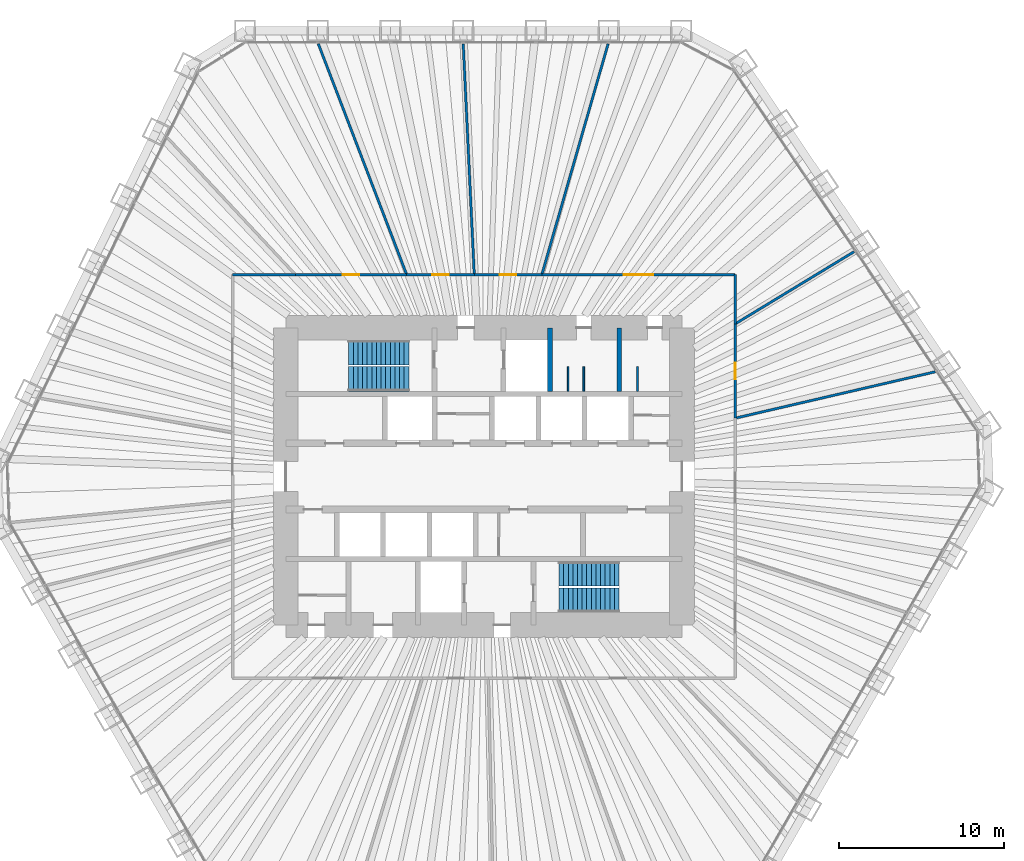
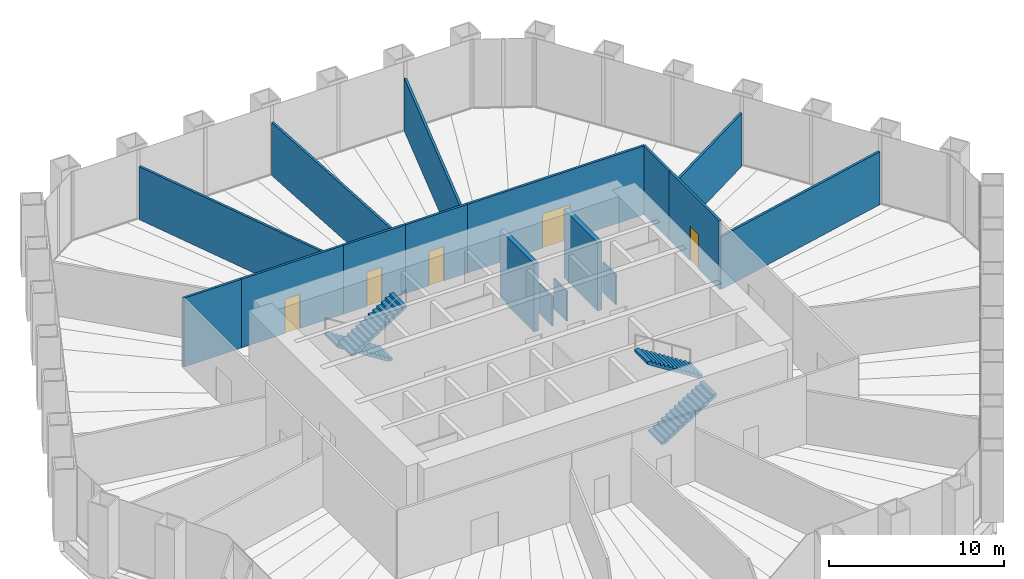
# One storey, part 12 of 13: 17 walls, 5 doors, 4 stair flights, 5 openings, 2 elements without a shape of their own.
"""IFC4 building model written with IfcOpenShell, lengths in metres."""

from ifc_helpers import new_model, si_unit, direction, frame, frame_2d, origin, place, context, subcontext, project, spatial, polyline, rectangle, outline, extrude, material, layer, layer_set, type_object, element, fill, aggregate, save


model = new_model("IFC4")

# Units and contexts
model_context = context("Model", 3, precision=1e-05, world=origin(), true_north=direction((0.0, 1.0)))
body_context = subcontext(model_context, "Body", "Model", "MODEL_VIEW")
ifc_project = project(units=[si_unit("LENGTHUNIT", "METRE"), si_unit("AREAUNIT", "SQUARE_METRE"), si_unit("VOLUMEUNIT", "CUBIC_METRE"), si_unit("PLANEANGLEUNIT", "RADIAN"), si_unit("MASSUNIT", "GRAM", prefix="KILO")], contexts=[model_context])

# Site, building, storey
site_placement = place(None, origin())
site = spatial("IfcSite", under=ifc_project, at=site_placement, CompositionType="ELEMENT")
building_placement = place(site_placement, origin())
building = spatial("IfcBuilding", under=site, at=building_placement, Name="Qingtian Harvest Tower", CompositionType="ELEMENT")
storey_placement = place(building_placement, frame((0.0, 0.0, 27.0)))
storey = spatial("IfcBuildingStorey", under=building, at=storey_placement, Name="L05", CompositionType="ELEMENT", Elevation=27.0)

# Walls
ifc_material_1 = material(Name="Precast concrete shaft panel", Category="concrete")
ifc_layer_1 = layer(ifc_material_1, 0.300048828125)
ifc_layer_set_1 = layer_set([ifc_layer_1], Name="Core shaft partition SW1 300")
wall_type_1 = type_object("IfcWallType", Name="Core shaft partition SW1 300", PredefinedType="PARTITIONING", material=ifc_layer_set_1)
for number, where, z_axis, x_axis, name in (
    (1, (4.0, 5.14990234375, 0.0), (0.0, 0.0, 1.0), (0.0, 1.0, 0.0), "Core shaft partition XN3 L05"),
    (2, (8.199951171875, 5.14990234375, 0.0), (0.0, 0.0, 1.0), (0.0, 1.0, 0.0), "Core shaft partition XN4 L05"),
):
    element("IfcWall", number, at=place(storey_placement, frame(where, z_axis=z_axis, x_axis=x_axis)), inside=storey, type_object=wall_type_1, Name=name, PredefinedType="PARTITIONING", context=body_context, shape_type="SweptSolid", body=[
        extrude(rectangle(XDim=3.85009765625, YDim=0.300048828125, at=frame_2d((1.925048828125, 0.0))), origin(), (0.0, 0.0, 1.0), 4.780029296875),
    ])
ifc_material_2 = material(Name="Gypsum board on steel studs", Category="steel")
ifc_layer_2 = layer(ifc_material_2, 0.14990234375)
ifc_layer_set_2 = layer_set([ifc_layer_2], Name="Partition PT1 150")
wall_type_2 = type_object("IfcWallType", Name="Partition PT1 150", PredefinedType="PARTITIONING", material=ifc_layer_set_2)
wall_1_placement = place(storey_placement, frame((7.52392578125, 26.203857421875, 0.0), z_axis=(0.0, 0.0, 1.0), x_axis=(-0.275975790041, -0.961164587004, 0.0)))
element("IfcWall", 3, at=wall_1_placement, inside=storey, type_object=wall_type_2, Name="Seedling nursery wall L05", PredefinedType="PARTITIONING", context=body_context, shape_type="SweptSolid", body=[
    extrude(rectangle(XDim=14.54345703125, YDim=0.14990234375, at=frame_2d((7.271728515625, 0.0))), origin(), (0.0, 0.0, 1.0), 3.699951171875),
])

# Wall, opening, door
wall_2_placement = place(storey_placement, frame((3.51025390625, 12.22509765625, 0.0), z_axis=(0.0, 0.0, 1.0), x_axis=(1.0, 0.0, 0.0)))
wall_2 = element("IfcWall", 4, at=wall_2_placement, inside=storey, type_object=wall_type_2, Name="Seedling nursery wall L05", PredefinedType="PARTITIONING", context=body_context, shape_type="SweptSolid", body=[
    extrude(rectangle(XDim=11.71484375, YDim=0.14990234375, at=frame_2d((5.857421875, 0.0))), origin(), (0.0, 0.0, 1.0), 4.800048828125),
])
opening_1_placement = place(wall_2_placement, frame((4.95751953125, 0.0, 0.0)))
opening_1 = element("IfcOpeningElement", 5, at=opening_1_placement, cuts=wall_2, Name="Opening D3", PredefinedType="OPENING", context=body_context, shape_type="SweptSolid", body=[
    extrude(rectangle(XDim=1.800048828125, YDim=2.39990234375, at=frame_2d((0.89990234375, 1.199951171875))), frame((0.0, 0.0849609375, 0.0), z_axis=(0.0, -1.0, 0.0), x_axis=(1.0, 0.0, 0.0)), (0.0, 0.0, 1.0), 0.169921875),
])
ifc_material_3 = material(Name="Laminated timber door leaf", Category="wood")
door_type_1 = type_object("IfcDoorType", Name="Room door D3 double", OperationType="DOUBLE_DOOR_DOUBLE_SWING", PredefinedType="DOOR", material=ifc_material_3)
door_1_placement = place(opening_1_placement, origin())
door_1 = element("IfcDoor", 6, at=door_1_placement, inside=storey, type_object=door_type_1, Name="Seedling nursery door L05", OperationType="DOUBLE_DOOR_DOUBLE_SWING", OverallHeight=2.39990234375, OverallWidth=1.800048828125, PredefinedType="DOOR", context=body_context, shape_type="SweptSolid", body=[
    extrude(rectangle(XDim=1.800048828125, YDim=2.39990234375, at=frame_2d((0.89990234375, 1.199951171875))), frame((0.0, 0.02490234375, 0.0), z_axis=(0.0, -1.0, 0.0), x_axis=(1.0, 0.0, 0.0)), (0.0, 0.0, 1.0), 0.050048828125),
])
fill(opening_1, door_1)

# Walls
wall_3_placement = place(storey_placement, frame((15.22509765625, 12.22509765625, 0.0), z_axis=(0.0, 0.0, 1.0), x_axis=(0.0, -1.0, 0.0)))
element("IfcWall", 7, at=wall_3_placement, inside=storey, type_object=wall_type_2, Name="Seedling nursery wall L05", PredefinedType="PARTITIONING", context=body_context, shape_type="SweptSolid", body=[
    extrude(rectangle(XDim=2.98193359375, YDim=0.14990234375, at=frame_2d((1.490966796875, 0.0))), origin(), (0.0, 0.0, 1.0), 4.800048828125),
])
wall_4_placement = place(storey_placement, frame((22.42138671875, 13.6123046875, 0.0), z_axis=(0.0, 0.0, 1.0), x_axis=(-0.854789353023, -0.518975107263, 0.0)))
element("IfcWall", 8, at=wall_4_placement, inside=storey, type_object=wall_type_2, Name="Germination room wall L05", PredefinedType="PARTITIONING", context=body_context, shape_type="SweptSolid", body=[
    extrude(rectangle(XDim=8.418701171875, YDim=0.14990234375, at=frame_2d((4.20947265625, 0.0))), origin(), (0.0, 0.0, 1.0), 3.699951171875),
])

# Wall, opening, door
wall_5_placement = place(storey_placement, frame((15.22509765625, 9.2431640625, 0.0), z_axis=(0.0, 0.0, 1.0), x_axis=(0.0, -1.0, 0.0)))
wall_5 = element("IfcWall", 9, at=wall_5_placement, inside=storey, type_object=wall_type_2, Name="Germination room wall L05", PredefinedType="PARTITIONING", context=body_context, shape_type="SweptSolid", body=[
    extrude(rectangle(XDim=5.712890625, YDim=0.14990234375, at=frame_2d((2.8564453125, 0.0))), origin(), (0.0, 0.0, 1.0), 4.800048828125),
])
opening_2_placement = place(wall_5_placement, frame((2.3564453125, 0.0, 0.0)))
opening_2 = element("IfcOpeningElement", 10, at=opening_2_placement, cuts=wall_5, Name="Opening D2", PredefinedType="OPENING", context=body_context, shape_type="SweptSolid", body=[
    extrude(rectangle(XDim=1.0, YDim=2.39990234375, at=frame_2d((0.5, 1.199951171875))), frame((0.0, 0.0849609375, 0.0), z_axis=(0.0, -1.0, 0.0), x_axis=(1.0, 0.0, 0.0)), (0.0, 0.0, 1.0), 0.169921875),
])
ifc_material_4 = material(Name="Laminated timber door leaf", Category="wood")
door_type_2 = type_object("IfcDoorType", Name="Room door D2 single", OperationType="SINGLE_SWING_LEFT", PredefinedType="DOOR", material=ifc_material_4)
door_2_placement = place(opening_2_placement, origin())
door_2 = element("IfcDoor", 11, at=door_2_placement, inside=storey, type_object=door_type_2, Name="Germination room door L05", OperationType="SINGLE_SWING_RIGHT", OverallHeight=2.39990234375, OverallWidth=1.0, PredefinedType="DOOR", context=body_context, shape_type="SweptSolid", body=[
    extrude(rectangle(XDim=1.0, YDim=2.39990234375, at=frame_2d((0.5, 1.199951171875))), frame((0.0, 0.02490234375, 0.0), z_axis=(0.0, -1.0, 0.0), x_axis=(1.0, 0.0, 0.0)), (0.0, 0.0, 1.0), 0.050048828125),
])
fill(opening_2, door_2)

# Walls
wall_6_placement = place(storey_placement, frame((27.335693359375, 6.33837890625, 0.0), z_axis=(0.0, 0.0, 1.0), x_axis=(-0.974155334075, -0.225879138243, 0.0)))
element("IfcWall", 12, at=wall_6_placement, inside=storey, type_object=wall_type_2, Name="Germination room wall L05", PredefinedType="PARTITIONING", context=body_context, shape_type="SweptSolid", body=[
    extrude(rectangle(XDim=12.431884765625, YDim=0.14990234375, at=frame_2d((6.2158203125, 0.0))), origin(), (0.0, 0.0, 1.0), 3.699951171875),
])
wall_7_placement = place(storey_placement, frame((-15.22509765625, 12.22509765625, 0.0), z_axis=(0.0, 0.0, 1.0), x_axis=(1.0, 0.0, 0.0)))
element("IfcWall", 13, at=wall_7_placement, inside=storey, type_object=wall_type_2, Name="Propagation room wall L05", PredefinedType="PARTITIONING", context=body_context, shape_type="SweptSolid", body=[
    extrude(rectangle(XDim=3.80322265625, YDim=0.14990234375, at=frame_2d((1.901611328125, 0.0))), origin(), (0.0, 0.0, 1.0), 4.800048828125),
])

# Wall, opening, door
wall_8_placement = place(storey_placement, frame((-11.421875, 12.22509765625, 0.0), z_axis=(0.0, 0.0, 1.0), x_axis=(1.0, 0.0, 0.0)))
wall_8 = element("IfcWall", 14, at=wall_8_placement, inside=storey, type_object=wall_type_2, Name="Quality lab wall L05", PredefinedType="PARTITIONING", context=body_context, shape_type="SweptSolid", body=[
    extrude(rectangle(XDim=6.742431640625, YDim=0.14990234375, at=frame_2d((3.37109375, 0.0))), origin(), (0.0, 0.0, 1.0), 4.800048828125),
])
opening_3_placement = place(wall_8_placement, frame((2.871337890625, 0.0, 0.0)))
opening_3 = element("IfcOpeningElement", 15, at=opening_3_placement, cuts=wall_8, Name="Opening D2", PredefinedType="OPENING", context=body_context, shape_type="SweptSolid", body=[
    extrude(rectangle(XDim=1.0, YDim=2.39990234375, at=frame_2d((0.5, 1.199951171875))), frame((0.0, 0.0849609375, 0.0), z_axis=(0.0, -1.0, 0.0), x_axis=(1.0, 0.0, 0.0)), (0.0, 0.0, 1.0), 0.169921875),
])
door_3_placement = place(opening_3_placement, origin())
door_3 = element("IfcDoor", 16, at=door_3_placement, inside=storey, type_object=door_type_2, Name="Quality lab door L05", OperationType="SINGLE_SWING_RIGHT", OverallHeight=2.39990234375, OverallWidth=1.0, PredefinedType="DOOR", context=body_context, shape_type="SweptSolid", body=[
    extrude(rectangle(XDim=1.0, YDim=2.39990234375, at=frame_2d((0.5, 1.199951171875))), frame((0.0, 0.02490234375, 0.0), z_axis=(0.0, -1.0, 0.0), x_axis=(1.0, 0.0, 0.0)), (0.0, 0.0, 1.0), 0.050048828125),
])
fill(opening_3, door_3)

# Wall
wall_9_placement = place(storey_placement, frame((-10.031005859375, 26.20654296875, 0.0), z_axis=(0.0, 0.0, 1.0), x_axis=(0.357470544466, -0.933924413344, 0.0)))
element("IfcWall", 17, at=wall_9_placement, inside=storey, type_object=wall_type_2, Name="Seed testing lab wall L05", PredefinedType="PARTITIONING", context=body_context, shape_type="SweptSolid", body=[
    extrude(rectangle(XDim=14.970703125, YDim=0.14990234375, at=frame_2d((7.4853515625, 0.0))), origin(), (0.0, 0.0, 1.0), 3.699951171875),
])

# Wall, opening, door
wall_10_placement = place(storey_placement, frame((-4.679443359375, 12.22509765625, 0.0), z_axis=(0.0, 0.0, 1.0), x_axis=(1.0, 0.0, 0.0)))
wall_10 = element("IfcWall", 18, at=wall_10_placement, inside=storey, type_object=wall_type_2, Name="Seed testing lab wall L05", PredefinedType="PARTITIONING", context=body_context, shape_type="SweptSolid", body=[
    extrude(rectangle(XDim=4.0947265625, YDim=0.14990234375, at=frame_2d((2.04736328125, 0.0))), origin(), (0.0, 0.0, 1.0), 4.800048828125),
])
opening_4_placement = place(wall_10_placement, frame((1.54736328125, 0.0, 0.0)))
opening_4 = element("IfcOpeningElement", 19, at=opening_4_placement, cuts=wall_10, Name="Opening D2", PredefinedType="OPENING", context=body_context, shape_type="SweptSolid", body=[
    extrude(rectangle(XDim=1.0, YDim=2.39990234375, at=frame_2d((0.5, 1.199951171875))), frame((0.0, 0.0849609375, 0.0), z_axis=(0.0, -1.0, 0.0), x_axis=(1.0, 0.0, 0.0)), (0.0, 0.0, 1.0), 0.169921875),
])
door_4_placement = place(opening_4_placement, origin())
door_4 = element("IfcDoor", 20, at=door_4_placement, inside=storey, type_object=door_type_2, Name="Seed testing lab door L05", OperationType="SINGLE_SWING_RIGHT", OverallHeight=2.39990234375, OverallWidth=1.0, PredefinedType="DOOR", context=body_context, shape_type="SweptSolid", body=[
    extrude(rectangle(XDim=1.0, YDim=2.39990234375, at=frame_2d((0.5, 1.199951171875))), frame((0.0, 0.02490234375, 0.0), z_axis=(0.0, -1.0, 0.0), x_axis=(1.0, 0.0, 0.0)), (0.0, 0.0, 1.0), 0.050048828125),
])
fill(opening_4, door_4)

# Wall
wall_11_placement = place(storey_placement, frame((-1.2529296875, 26.2001953125, 0.0), z_axis=(0.0, 0.0, 1.0), x_axis=(0.047759977782, -0.998858841139, 0.0)))
element("IfcWall", 21, at=wall_11_placement, inside=storey, type_object=wall_type_2, Name="Tray washing room wall L05", PredefinedType="PARTITIONING", context=body_context, shape_type="SweptSolid", body=[
    extrude(rectangle(XDim=13.990966796875, YDim=0.14990234375, at=frame_2d((6.99560546875, 0.0))), origin(), (0.0, 0.0, 1.0), 3.699951171875),
])

# Wall, opening, door
wall_12_placement = place(storey_placement, frame((-0.584716796875, 12.22509765625, 0.0), z_axis=(0.0, 0.0, 1.0), x_axis=(1.0, 0.0, 0.0)))
wall_12 = element("IfcWall", 22, at=wall_12_placement, inside=storey, type_object=wall_type_2, Name="Tray washing room wall L05", PredefinedType="PARTITIONING", context=body_context, shape_type="SweptSolid", body=[
    extrude(rectangle(XDim=4.094970703125, YDim=0.14990234375, at=frame_2d((2.04736328125, 0.0))), origin(), (0.0, 0.0, 1.0), 4.800048828125),
])
opening_5_placement = place(wall_12_placement, frame((1.54736328125, 0.0, 0.0)))
opening_5 = element("IfcOpeningElement", 23, at=opening_5_placement, cuts=wall_12, Name="Opening D2", PredefinedType="OPENING", context=body_context, shape_type="SweptSolid", body=[
    extrude(rectangle(XDim=1.0, YDim=2.39990234375, at=frame_2d((0.5, 1.199951171875))), frame((0.0, 0.0849609375, 0.0), z_axis=(0.0, -1.0, 0.0), x_axis=(1.0, 0.0, 0.0)), (0.0, 0.0, 1.0), 0.169921875),
])
door_5_placement = place(opening_5_placement, origin())
door_5 = element("IfcDoor", 24, at=door_5_placement, inside=storey, type_object=door_type_2, Name="Tray washing room door L05", OperationType="SINGLE_SWING_RIGHT", OverallHeight=2.39990234375, OverallWidth=1.0, PredefinedType="DOOR", context=body_context, shape_type="SweptSolid", body=[
    extrude(rectangle(XDim=1.0, YDim=2.39990234375, at=frame_2d((0.5, 1.199951171875))), frame((0.0, 0.02490234375, 0.0), z_axis=(0.0, -1.0, 0.0), x_axis=(1.0, 0.0, 0.0)), (0.0, 0.0, 1.0), 0.050048828125),
])
fill(opening_5, door_5)

# Walls
ifc_material_5 = material(Name="Compact laminate cubicle partition", Category="plastic")
ifc_layer_3 = layer(ifc_material_5, 0.10009765625)
ifc_layer_set_3 = layer_set([ifc_layer_3], Name="WC cubicle partition WP1 100")
wall_type_3 = type_object("IfcWallType", Name="WC cubicle partition WP1 100", PredefinedType="PARTITIONING", material=ifc_layer_set_3)
for number, where, z_axis, x_axis, name in (
    (25, (5.10009765625, 5.14990234375, 0.0), (0.0, 0.0, 1.0), (0.0, 1.0, 0.0), "WC cubicle partition WCM L05"),
    (26, (6.050048828125, 5.14990234375, 0.0), (0.0, 0.0, 1.0), (0.0, 1.0, 0.0), "WC cubicle partition WCM L05"),
    (27, (9.300048828125, 5.14990234375, 0.0), (0.0, 0.0, 1.0), (0.0, 1.0, 0.0), "WC cubicle partition WCF L05"),
):
    element("IfcWall", number, at=place(storey_placement, frame(where, z_axis=z_axis, x_axis=x_axis)), inside=storey, type_object=wall_type_3, Name=name, PredefinedType="PARTITIONING", context=body_context, shape_type="SweptSolid", body=[
        extrude(rectangle(XDim=1.5, YDim=0.10009765625, at=frame_2d((0.75, 0.0))), origin(), (0.0, 0.0, 1.0), 2.10009765625),
    ])

# Stair, stair flights
ifc_material_6 = material(Name="Concrete fc' 35 MPa", Category="concrete")
stair_type = type_object("IfcStairType", Name="Special stair ST2 5000", PredefinedType="HALF_TURN_STAIR", material=ifc_material_6)
stair_1_placement = place(storey_placement, origin())
stair_1 = element("IfcStair", 28, at=stair_1_placement, inside=storey, type_object=stair_type, Name="Special stair S1 L05", PredefinedType="HALF_TURN_STAIR")
ifc_material_7 = material(Name="Concrete fc' 35 MPa", Category="concrete")
stair_flight_type = type_object("IfcStairFlightType", Name="Stair flight SF2 5000", PredefinedType="STRAIGHT", material=ifc_material_7)
stair_flight_1_placement = place(storey_placement, frame((-4.550048828125, 7.5, 0.0), z_axis=(0.0, 0.0, 1.0), x_axis=(-1.0, 0.0, 0.0)))
stair_flight_1 = element("IfcStairFlight", 29, at=stair_flight_1_placement, type_object=stair_flight_type, Name="S1 flight 1", NumberOfRisers=14, NumberOfTreads=13, PredefinedType="STRAIGHT", RiserHeight=0.178571429, TreadLength=0.28, context=body_context, shape_type="SweptSolid", body=[
    extrude(outline(polyline([(0.0, 0.0), (0.0, 0.178466796875), (0.280029296875, 0.178466796875), (0.280029296875, 0.357177734375), (0.56005859375, 0.357177734375), (0.56005859375, 0.53564453125), (0.840087890625, 0.53564453125), (0.840087890625, 0.71435546875), (1.1201171875, 0.71435546875), (1.1201171875, 0.892822265625), (1.39990234375, 0.892822265625), (1.39990234375, 1.071533203125), (1.679931640625, 1.071533203125), (1.679931640625, 1.25), (1.9599609375, 1.25), (1.9599609375, 1.428466796875), (2.239990234375, 1.428466796875), (2.239990234375, 1.607177734375), (2.52001953125, 1.607177734375), (2.52001953125, 1.78564453125), (2.800048828125, 1.78564453125), (2.800048828125, 1.96435546875), (3.080078125, 1.96435546875), (3.080078125, 2.142822265625), (3.360107421875, 2.142822265625), (3.360107421875, 2.321533203125), (3.639892578125, 2.321533203125), (3.639892578125, 2.5), (3.639892578125, 2.1435546875), (0.27880859375, 0.0), (0.0, 0.0)])), frame((0.0, 0.75, 0.0), z_axis=(0.0, -1.0, 0.0), x_axis=(1.0, 0.0, 0.0)), (0.0, 0.0, 1.0), 1.5),
])
stair_flight_2_placement = place(storey_placement, frame((-8.18994140625, 5.89990234375, 2.5), z_axis=(0.0, 0.0, 1.0), x_axis=(1.0, 0.0, 0.0)))
stair_flight_2 = element("IfcStairFlight", 30, at=stair_flight_2_placement, type_object=stair_flight_type, Name="S1 flight 2", NumberOfRisers=14, NumberOfTreads=13, PredefinedType="STRAIGHT", RiserHeight=0.178571429, TreadLength=0.28, context=body_context, shape_type="SweptSolid", body=[
    extrude(outline(polyline([(0.0, 0.0), (0.0, 0.178466796875), (0.280029296875, 0.178466796875), (0.280029296875, 0.357177734375), (0.56005859375, 0.357177734375), (0.56005859375, 0.53564453125), (0.840087890625, 0.53564453125), (0.840087890625, 0.71435546875), (1.1201171875, 0.71435546875), (1.1201171875, 0.892822265625), (1.39990234375, 0.892822265625), (1.39990234375, 1.071533203125), (1.679931640625, 1.071533203125), (1.679931640625, 1.25), (1.9599609375, 1.25), (1.9599609375, 1.428466796875), (2.239990234375, 1.428466796875), (2.239990234375, 1.607177734375), (2.52001953125, 1.607177734375), (2.52001953125, 1.78564453125), (2.800048828125, 1.78564453125), (2.800048828125, 1.96435546875), (3.080078125, 1.96435546875), (3.080078125, 2.142822265625), (3.360107421875, 2.142822265625), (3.360107421875, 2.321533203125), (3.639892578125, 2.321533203125), (3.639892578125, 2.5), (3.639892578125, 2.1435546875), (0.27880859375, 0.0), (0.0, 0.0)])), frame((0.0, 0.75, 0.0), z_axis=(0.0, -1.0, 0.0), x_axis=(1.0, 0.0, 0.0)), (0.0, 0.0, 1.0), 1.5),
])
aggregate(stair_1, [stair_flight_1, stair_flight_2])

stair_2_placement = place(storey_placement, origin())
stair_2 = element("IfcStair", 31, at=stair_2_placement, inside=storey, type_object=stair_type, Name="Special stair S2 L05", PredefinedType="HALF_TURN_STAIR")
stair_flight_3_placement = place(storey_placement, frame((4.550048828125, -7.5, 0.0), z_axis=(0.0, 0.0, 1.0), x_axis=(1.0, 0.0, 0.0)))
stair_flight_3 = element("IfcStairFlight", 32, at=stair_flight_3_placement, type_object=stair_flight_type, Name="S2 flight 1", NumberOfRisers=14, NumberOfTreads=13, PredefinedType="STRAIGHT", RiserHeight=0.178571429, TreadLength=0.28, context=body_context, shape_type="SweptSolid", body=[
    extrude(outline(polyline([(0.0, 0.0), (0.0, 0.178466796875), (0.280029296875, 0.178466796875), (0.280029296875, 0.357177734375), (0.56005859375, 0.357177734375), (0.56005859375, 0.53564453125), (0.840087890625, 0.53564453125), (0.840087890625, 0.71435546875), (1.1201171875, 0.71435546875), (1.1201171875, 0.892822265625), (1.39990234375, 0.892822265625), (1.39990234375, 1.071533203125), (1.679931640625, 1.071533203125), (1.679931640625, 1.25), (1.9599609375, 1.25), (1.9599609375, 1.428466796875), (2.239990234375, 1.428466796875), (2.239990234375, 1.607177734375), (2.52001953125, 1.607177734375), (2.52001953125, 1.78564453125), (2.800048828125, 1.78564453125), (2.800048828125, 1.96435546875), (3.080078125, 1.96435546875), (3.080078125, 2.142822265625), (3.360107421875, 2.142822265625), (3.360107421875, 2.321533203125), (3.639892578125, 2.321533203125), (3.639892578125, 2.5), (3.639892578125, 2.1435546875), (0.27880859375, 0.0), (0.0, 0.0)])), frame((0.0, 0.75, 0.0), z_axis=(0.0, -1.0, 0.0), x_axis=(1.0, 0.0, 0.0)), (0.0, 0.0, 1.0), 1.5),
])
stair_flight_4_placement = place(storey_placement, frame((8.18994140625, -5.89990234375, 2.5), z_axis=(0.0, 0.0, 1.0), x_axis=(-1.0, 0.0, 0.0)))
stair_flight_4 = element("IfcStairFlight", 33, at=stair_flight_4_placement, type_object=stair_flight_type, Name="S2 flight 2", NumberOfRisers=14, NumberOfTreads=13, PredefinedType="STRAIGHT", RiserHeight=0.178571429, TreadLength=0.28, context=body_context, shape_type="SweptSolid", body=[
    extrude(outline(polyline([(0.0, 0.0), (0.0, 0.178466796875), (0.280029296875, 0.178466796875), (0.280029296875, 0.357177734375), (0.56005859375, 0.357177734375), (0.56005859375, 0.53564453125), (0.840087890625, 0.53564453125), (0.840087890625, 0.71435546875), (1.1201171875, 0.71435546875), (1.1201171875, 0.892822265625), (1.39990234375, 0.892822265625), (1.39990234375, 1.071533203125), (1.679931640625, 1.071533203125), (1.679931640625, 1.25), (1.9599609375, 1.25), (1.9599609375, 1.428466796875), (2.239990234375, 1.428466796875), (2.239990234375, 1.607177734375), (2.52001953125, 1.607177734375), (2.52001953125, 1.78564453125), (2.800048828125, 1.78564453125), (2.800048828125, 1.96435546875), (3.080078125, 1.96435546875), (3.080078125, 2.142822265625), (3.360107421875, 2.142822265625), (3.360107421875, 2.321533203125), (3.639892578125, 2.321533203125), (3.639892578125, 2.5), (3.639892578125, 2.1435546875), (0.27880859375, 0.0), (0.0, 0.0)])), frame((0.0, 0.75, 0.0), z_axis=(0.0, -1.0, 0.0), x_axis=(1.0, 0.0, 0.0)), (0.0, 0.0, 1.0), 1.5),
])
aggregate(stair_2, [stair_flight_3, stair_flight_4])

save(model, "model.ifc")
